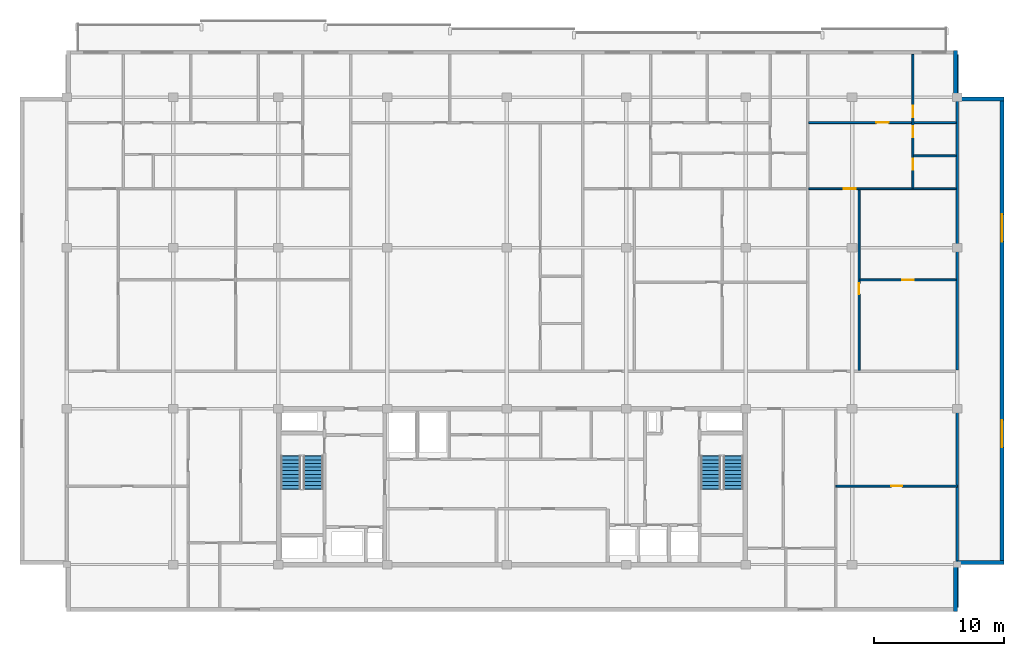
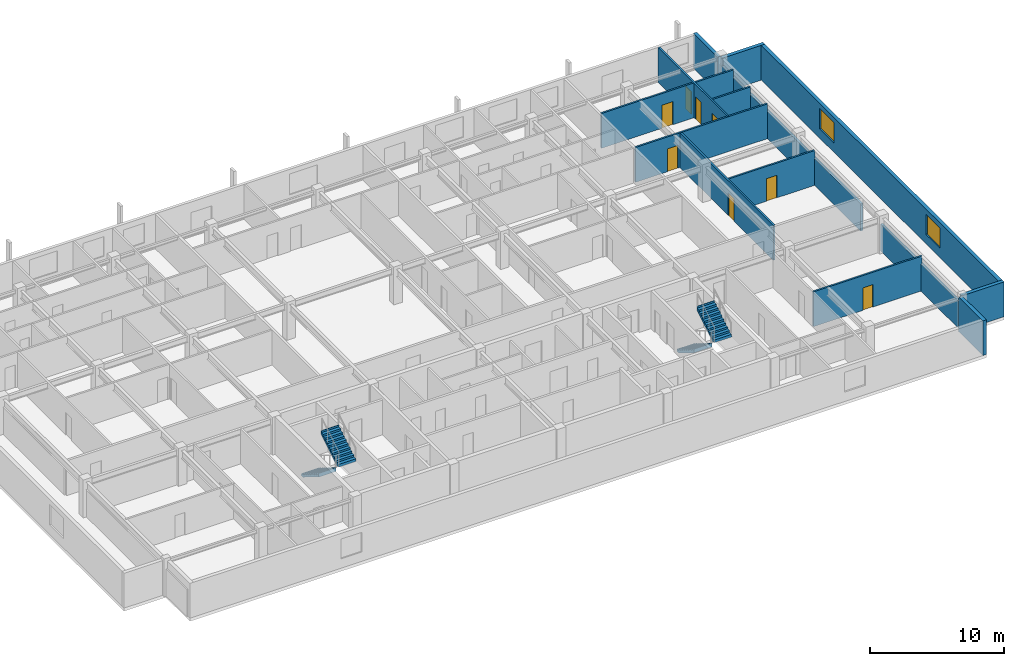
# One storey, part 8 of 10: 14 walls, 8 doors, 4 stair flights, 2 windows, 10 openings, 2 elements without a shape of their own.
"""IFC4 building model written with IfcOpenShell, lengths in metres."""

from ifc_helpers import new_model, si_unit, direction, frame, frame_2d, origin, place, context, subcontext, project, spatial, polyline, rectangle, outline, extrude, material, layer, layer_set, type_object, element, fill, aggregate, save


model = new_model("IFC4")

# Units and contexts
model_context = context("Model", 3, precision=1e-05, world=origin(), true_north=direction((0.0, 1.0)))
body_context = subcontext(model_context, "Body", "Model", "MODEL_VIEW")
ifc_project = project(units=[si_unit("LENGTHUNIT", "METRE"), si_unit("AREAUNIT", "SQUARE_METRE"), si_unit("VOLUMEUNIT", "CUBIC_METRE"), si_unit("PLANEANGLEUNIT", "RADIAN"), si_unit("MASSUNIT", "GRAM", prefix="KILO")], contexts=[model_context])

# Site, building, storey
site_placement = place(None, origin())
site = spatial("IfcSite", under=ifc_project, at=site_placement, CompositionType="ELEMENT")
building_placement = place(site_placement, origin())
building = spatial("IfcBuilding", under=site, at=building_placement, Name="Korimba Cascade Residences", CompositionType="ELEMENT")
storey_placement = place(building_placement, frame((0.0, 0.0, 235.550048828125)))
storey = spatial("IfcBuildingStorey", under=building, at=storey_placement, Name="L68", CompositionType="ELEMENT", Elevation=235.550048828125)

# Walls
ifc_material_1 = material(Name="Precast concrete C40/50", Category="concrete")
ifc_layer_1 = layer(ifc_material_1, 0.300048828125)
ifc_layer_set_1 = layer_set([ifc_layer_1], Name="Precast concrete C40/50")
wall_type_1 = type_object("IfcWallType", Name="EW-STONE-300", PredefinedType="STANDARD", material=ifc_layer_set_1)
wall_1_placement = place(storey_placement, frame((128.25, 51.60009765625, 0.0), z_axis=(0.0, 0.0, 1.0), x_axis=(0.0, 1.0, 0.0)))
element("IfcWall", 1, at=wall_1_placement, inside=storey, type_object=wall_type_1, Name="L68 T1 Perimeter Stone Wall E01", PredefinedType="STANDARD", context=body_context, shape_type="SweptSolid", body=[
    extrude(rectangle(XDim=3.599853515625, YDim=0.300048828125, at=frame_2d((1.7998046875, 0.0))), origin(), (0.0, 0.0, 1.0), 3.169921875),
])
wall_2_placement = place(storey_placement, frame((128.39990234375, 55.35009765625, 0.0), z_axis=(0.0, 0.0, 1.0), x_axis=(1.0, 0.0, 0.0)))
element("IfcWall", 2, at=wall_2_placement, inside=storey, type_object=wall_type_1, Name="L68 T1 Perimeter Stone Wall E02", PredefinedType="STANDARD", context=body_context, shape_type="SweptSolid", body=[
    extrude(rectangle(XDim=3.60009765625, YDim=0.300048828125, at=frame_2d((1.800048828125, 0.0))), origin(), (0.0, 0.0, 1.0), 3.169921875),
])

# Wall, openings, windows
wall_3_placement = place(storey_placement, frame((131.85009765625, 55.199951171875, 0.0), z_axis=(0.0, 0.0, 1.0), x_axis=(0.0, 1.0, 0.0)))
wall_3 = element("IfcWall", 3, at=wall_3_placement, inside=storey, type_object=wall_type_1, Name="L68 T1 Perimeter Stone Wall E03", PredefinedType="STANDARD", context=body_context, shape_type="SweptSolid", body=[
    extrude(rectangle(XDim=36.0, YDim=0.300048828125, at=frame_2d((18.0, 0.0))), origin(), (0.0, 0.0, 1.0), 3.169921875),
])
opening_1_placement = place(wall_3_placement, frame((9.030029296875, 0.0, 0.85009765625)))
opening_1 = element("IfcOpeningElement", 4, at=opening_1_placement, cuts=wall_3, Name="Opening W-03", PredefinedType="OPENING", context=body_context, shape_type="SweptSolid", body=[
    extrude(rectangle(XDim=2.10009765625, YDim=1.85009765625, at=frame_2d((1.050048828125, 0.925048828125))), frame((0.0, 0.16015625, 0.0), z_axis=(0.0, -1.0, 0.0), x_axis=(1.0, 0.0, 0.0)), (0.0, 0.0, 1.0), 0.320068359375),
])
opening_2_placement = place(wall_3_placement, frame((24.8701171875, 0.0, 0.85009765625)))
opening_2 = element("IfcOpeningElement", 5, at=opening_2_placement, cuts=wall_3, Name="Opening W-03", PredefinedType="OPENING", context=body_context, shape_type="SweptSolid", body=[
    extrude(rectangle(XDim=2.10009765625, YDim=1.85009765625, at=frame_2d((1.050048828125, 0.925048828125))), frame((0.0, 0.16015625, 0.0), z_axis=(0.0, -1.0, 0.0), x_axis=(1.0, 0.0, 0.0)), (0.0, 0.0, 1.0), 0.320068359375),
])
ifc_material_2 = material(Name="Double-Glazed Aluminium Window", Category="aluminium")
window_type = type_object("IfcWindowType", Name="WIN-CRN-2100", PartitioningType="DOUBLE_PANEL_HORIZONTAL", PredefinedType="WINDOW", material=ifc_material_2)
window_1_placement = place(opening_1_placement, origin())
window_1 = element("IfcWindow", 6, at=window_1_placement, inside=storey, type_object=window_type, Name="L68 T1 End View Window 3.1", OverallHeight=1.85009765625, OverallWidth=2.10009765625, PartitioningType="DOUBLE_PANEL_HORIZONTAL", PredefinedType="WINDOW", context=body_context, shape_type="SweptSolid", body=[
    extrude(rectangle(XDim=2.10009765625, YDim=1.85009765625, at=frame_2d((1.050048828125, 0.925048828125))), frame((0.0, 0.030029296875, 0.0), z_axis=(0.0, -1.0, 0.0), x_axis=(1.0, 0.0, 0.0)), (0.0, 0.0, 1.0), 0.06005859375),
])
fill(opening_1, window_1)
window_2_placement = place(opening_2_placement, origin())
window_2 = element("IfcWindow", 7, at=window_2_placement, inside=storey, type_object=window_type, Name="L68 T1 End View Window 3.2", OverallHeight=1.85009765625, OverallWidth=2.10009765625, PartitioningType="DOUBLE_PANEL_HORIZONTAL", PredefinedType="WINDOW", context=body_context, shape_type="SweptSolid", body=[
    extrude(rectangle(XDim=2.10009765625, YDim=1.85009765625, at=frame_2d((1.050048828125, 0.925048828125))), frame((0.0, 0.030029296875, 0.0), z_axis=(0.0, -1.0, 0.0), x_axis=(1.0, 0.0, 0.0)), (0.0, 0.0, 1.0), 0.06005859375),
])
fill(opening_2, window_2)

# Walls
for number, where, z_axis, x_axis, name in (
    (8, (132.0, 91.050048828125, 0.0), (0.0, 0.0, 1.0), (-1.0, 0.0, 0.0), "L68 T1 Perimeter Stone Wall E04"),
    (9, (128.25, 91.199951171875, 0.0), (0.0, 0.0, 1.0), (0.0, 1.0, 0.0), "L68 T1 Perimeter Stone Wall E05"),
):
    element("IfcWall", number, at=place(storey_placement, frame(where, z_axis=z_axis, x_axis=x_axis)), inside=storey, type_object=wall_type_1, Name=name, PredefinedType="STANDARD", context=body_context, shape_type="SweptSolid", body=[
        extrude(rectangle(XDim=3.60009765625, YDim=0.300048828125, at=frame_2d((1.800048828125, 0.0))), origin(), (0.0, 0.0, 1.0), 3.169921875),
    ])
ifc_layer_2 = layer(ifc_material_1, 0.199951171875)
ifc_layer_set_2 = layer_set([ifc_layer_2], Name="Precast concrete C40/50")
wall_type_2 = type_object("IfcWallType", Name="WAL-IT-200", PredefinedType="PARTITIONING", material=ifc_layer_set_2)
wall_4_placement = place(storey_placement, frame((128.39990234375, 51.89990234375, 0.0), z_axis=(0.0, 0.0, 1.0), x_axis=(0.0, 1.0, 0.0)))
element("IfcWall", 10, at=wall_4_placement, inside=storey, type_object=wall_type_2, Name="L68 Partition Wall WAL-L68-T1-FE-WR", PredefinedType="PARTITIONING", context=body_context, shape_type="SweptSolid", body=[
    extrude(rectangle(XDim=15.300048828125, YDim=0.199951171875, at=frame_2d((7.64990234375, 0.0))), origin(), (0.0, 0.0, 1.0), 2.47705078125),
])
wall_5_placement = place(storey_placement, frame((128.39990234375, 70.179931640625, 0.0), z_axis=(0.0, 0.0, 1.0), x_axis=(0.0, 1.0, 0.0)))
element("IfcWall", 11, at=wall_5_placement, inside=storey, type_object=wall_type_2, Name="L68 Partition Wall WAL-L68-T1-BNDWR", PredefinedType="PARTITIONING", context=body_context, shape_type="SweptSolid", body=[
    extrude(rectangle(XDim=24.320068359375, YDim=0.199951171875, at=frame_2d((12.16015625, 0.0))), origin(), (0.0, 0.0, 1.0), 2.47705078125),
])

# Wall, opening, door
ifc_material_3 = material(Name="Insulated Acoustic Stud Partition", Category="gypsum")
ifc_layer_3 = layer(ifc_material_3, 0.14990234375)
ifc_layer_set_3 = layer_set([ifc_layer_3], Name="Insulated Acoustic Stud Partition")
wall_type_3 = type_object("IfcWallType", Name="WAL-PART-150", PredefinedType="PARTITIONING", material=ifc_layer_set_3)
wall_6_placement = place(storey_placement, frame((119.050048828125, 61.25, 0.0), z_axis=(0.0, 0.0, 1.0), x_axis=(1.0, 0.0, 0.0)))
wall_6 = element("IfcWall", 12, at=wall_6_placement, inside=storey, type_object=wall_type_3, Name="L68 Partition Wall WAL-L68-T1-FE-STH", PredefinedType="PARTITIONING", context=body_context, shape_type="SweptSolid", body=[
    extrude(rectangle(XDim=9.349853515625, YDim=0.14990234375, at=frame_2d((4.6748046875, 0.0))), origin(), (0.0, 0.0, 1.0), 3.169921875),
])
opening_3_placement = place(wall_6_placement, frame((4.2548828125, 0.0, 0.0)))
opening_3 = element("IfcOpeningElement", 13, at=opening_3_placement, cuts=wall_6, Name="Opening D-BT1", PredefinedType="OPENING", context=body_context, shape_type="SweptSolid", body=[
    extrude(rectangle(XDim=0.840087890625, YDim=2.0400390625, at=frame_2d((0.419921875, 1.02001953125))), frame((0.0, 0.0849609375, 0.0), z_axis=(0.0, -1.0, 0.0), x_axis=(1.0, 0.0, 0.0)), (0.0, 0.0, 1.0), 0.169921875),
])
ifc_material_4 = material(Name="Moisture-Resistant Bathroom Timber Door", Category="wood")
door_type_1 = type_object("IfcDoorType", Name="DR-INT-850", OperationType="NOTDEFINED", PredefinedType="DOOR", material=ifc_material_4)
door_1_placement = place(opening_3_placement, origin())
door_1 = element("IfcDoor", 14, at=door_1_placement, inside=storey, type_object=door_type_1, Name="L68-T1-FE Dressing Store Door", OperationType="SINGLE_SWING_LEFT", OverallHeight=2.0400390625, OverallWidth=0.840087890625, PredefinedType="DOOR", context=body_context, shape_type="SweptSolid", body=[
    extrude(rectangle(XDim=0.840087890625, YDim=2.0400390625, at=frame_2d((0.419921875, 1.02001953125))), frame((0.0, 0.02490234375, 0.0), z_axis=(0.0, -1.0, 0.0), x_axis=(1.0, 0.0, 0.0)), (0.0, 0.0, 1.0), 0.050048828125),
])
fill(opening_3, door_1)

wall_7_placement = place(storey_placement, frame((120.899658203125, 77.135009765625, 0.0), z_axis=(0.0, 0.0, 1.0), x_axis=(1.0, 0.0, 0.0)))
wall_7 = element("IfcWall", 15, at=wall_7_placement, inside=storey, type_object=wall_type_3, Name="L68 Partition Wall WAL-L68-T1-U04-FMH", PredefinedType="PARTITIONING", context=body_context, shape_type="SweptSolid", body=[
    extrude(rectangle(XDim=7.42041015625, YDim=0.14990234375, at=frame_2d((3.710205078125, 0.0))), origin(), (0.0, 0.0, 1.0), 3.169921875),
])
opening_4_placement = place(wall_7_placement, frame((3.270263671875, 0.0, 0.0)))
opening_4 = element("IfcOpeningElement", 16, at=opening_4_placement, cuts=wall_7, Name="Opening D-IN2", PredefinedType="OPENING", context=body_context, shape_type="SweptSolid", body=[
    extrude(rectangle(XDim=0.8798828125, YDim=2.06005859375, at=frame_2d((0.43994140625, 1.030029296875))), frame((0.0, 0.0849609375, 0.0), z_axis=(0.0, -1.0, 0.0), x_axis=(1.0, 0.0, 0.0)), (0.0, 0.0, 1.0), 0.169921875),
])
ifc_material_5 = material(Name="Acoustic Timber Bedroom Door", Category="wood")
door_type_2 = type_object("IfcDoorType", Name="DR-INT-880", OperationType="NOTDEFINED", PredefinedType="DOOR", material=ifc_material_5)
door_2_placement = place(opening_4_placement, origin())
door_2 = element("IfcDoor", 17, at=door_2_placement, inside=storey, type_object=door_type_2, Name="L68-T1-U04 Library Salon Door", OperationType="SINGLE_SWING_LEFT", OverallHeight=2.06005859375, OverallWidth=0.8798828125, PredefinedType="DOOR", context=body_context, shape_type="SweptSolid", body=[
    extrude(rectangle(XDim=0.8798828125, YDim=2.06005859375, at=frame_2d((0.43994140625, 1.030029296875))), frame((0.0, 0.02490234375, 0.0), z_axis=(0.0, -1.0, 0.0), x_axis=(1.0, 0.0, 0.0)), (0.0, 0.0, 1.0), 0.050048828125),
])
fill(opening_4, door_2)

wall_8_placement = place(storey_placement, frame((120.839599609375, 70.159912109375, 0.0), z_axis=(0.0, 0.0, 1.0), x_axis=(0.0, 1.0, 0.0)))
wall_8 = element("IfcWall", 18, at=wall_8_placement, inside=storey, type_object=wall_type_3, Name="L68 Partition Wall WAL-L68-T1-U04-FV", PredefinedType="PARTITIONING", context=body_context, shape_type="SweptSolid", body=[
    extrude(rectangle(XDim=13.9501953125, YDim=0.14990234375, at=frame_2d((6.97509765625, 0.0))), origin(), (0.0, 0.0, 1.0), 3.169921875),
])
opening_5_placement = place(wall_8_placement, frame((5.844970703125, 0.0, 0.0)))
opening_5 = element("IfcOpeningElement", 19, at=opening_5_placement, cuts=wall_8, Name="Opening D-IN2", PredefinedType="OPENING", context=body_context, shape_type="SweptSolid", body=[
    extrude(rectangle(XDim=0.8798828125, YDim=2.06005859375, at=frame_2d((0.43994140625, 1.030029296875))), frame((0.0, 0.0849609375, 0.0), z_axis=(0.0, -1.0, 0.0), x_axis=(1.0, 0.0, 0.0)), (0.0, 0.0, 1.0), 0.169921875),
])
door_3_placement = place(opening_5_placement, origin())
door_3 = element("IfcDoor", 20, at=door_3_placement, inside=storey, type_object=door_type_2, Name="L68-T1-U04 Media Lounge Door", OperationType="SINGLE_SWING_RIGHT", OverallHeight=2.06005859375, OverallWidth=0.8798828125, PredefinedType="DOOR", context=body_context, shape_type="SweptSolid", body=[
    extrude(rectangle(XDim=0.8798828125, YDim=2.06005859375, at=frame_2d((0.43994140625, 1.030029296875))), frame((0.0, 0.02490234375, 0.0), z_axis=(0.0, -1.0, 0.0), x_axis=(1.0, 0.0, 0.0)), (0.0, 0.0, 1.0), 0.050048828125),
])
fill(opening_5, door_3)

# Wall
wall_9_placement = place(storey_placement, frame((125.0400390625, 86.68994140625, 0.0), z_axis=(0.0, 0.0, 1.0), x_axis=(1.0, 0.0, 0.0)))
element("IfcWall", 21, at=wall_9_placement, inside=storey, type_object=wall_type_3, Name="L68 Partition Wall WAL-L68-T1-U04-BLDIV", PredefinedType="PARTITIONING", context=body_context, shape_type="SweptSolid", body=[
    extrude(rectangle(XDim=3.280029296875, YDim=0.14990234375, at=frame_2d((1.64013671875, 0.0))), origin(), (0.0, 0.0, 1.0), 3.169921875),
])

# Wall, openings, doors
wall_10_placement = place(storey_placement, frame((124.97998046875, 84.18994140625, 0.0), z_axis=(0.0, 0.0, 1.0), x_axis=(0.0, 1.0, 0.0)))
wall_10 = element("IfcWall", 22, at=wall_10_placement, inside=storey, type_object=wall_type_3, Name="L68 Partition Wall WAL-L68-T1-U04-V1", PredefinedType="PARTITIONING", context=body_context, shape_type="SweptSolid", body=[
    extrude(rectangle(XDim=10.31005859375, YDim=0.14990234375, at=frame_2d((5.155029296875, 0.0))), origin(), (0.0, 0.0, 1.0), 3.169921875),
])
opening_6_placement = place(wall_10_placement, frame((1.430419921875, 0.0, 0.0)))
opening_6 = element("IfcOpeningElement", 23, at=opening_6_placement, cuts=wall_10, Name="Opening D-BT1", PredefinedType="OPENING", context=body_context, shape_type="SweptSolid", body=[
    extrude(rectangle(XDim=0.840087890625, YDim=2.0400390625, at=frame_2d((0.419921875, 1.02001953125))), frame((0.0, 0.0849609375, 0.0), z_axis=(0.0, -1.0, 0.0), x_axis=(1.0, 0.0, 0.0)), (0.0, 0.0, 1.0), 0.169921875),
])
opening_7_placement = place(wall_10_placement, frame((3.919921875, 0.0, 0.0)))
opening_7 = element("IfcOpeningElement", 24, at=opening_7_placement, cuts=wall_10, Name="Opening D-BT1", PredefinedType="OPENING", context=body_context, shape_type="SweptSolid", body=[
    extrude(rectangle(XDim=0.840087890625, YDim=2.0400390625, at=frame_2d((0.419921875, 1.02001953125))), frame((0.0, 0.0849609375, 0.0), z_axis=(0.0, -1.0, 0.0), x_axis=(1.0, 0.0, 0.0)), (0.0, 0.0, 1.0), 0.169921875),
])
opening_8_placement = place(wall_10_placement, frame((5.47998046875, 0.0, 0.0)))
opening_8 = element("IfcOpeningElement", 25, at=opening_8_placement, cuts=wall_10, Name="Opening D-IN2", PredefinedType="OPENING", context=body_context, shape_type="SweptSolid", body=[
    extrude(rectangle(XDim=0.8798828125, YDim=2.06005859375, at=frame_2d((0.43994140625, 1.030029296875))), frame((0.0, 0.0849609375, 0.0), z_axis=(0.0, -1.0, 0.0), x_axis=(1.0, 0.0, 0.0)), (0.0, 0.0, 1.0), 0.169921875),
])
door_4_placement = place(opening_6_placement, origin())
door_4 = element("IfcDoor", 26, at=door_4_placement, inside=storey, type_object=door_type_1, Name="L68-T1-U04 Bathroom Door", OperationType="SINGLE_SWING_LEFT", OverallHeight=2.0400390625, OverallWidth=0.840087890625, PredefinedType="DOOR", context=body_context, shape_type="SweptSolid", body=[
    extrude(rectangle(XDim=0.840087890625, YDim=2.0400390625, at=frame_2d((0.419921875, 1.02001953125))), frame((0.0, 0.02490234375, 0.0), z_axis=(0.0, -1.0, 0.0), x_axis=(1.0, 0.0, 0.0)), (0.0, 0.0, 1.0), 0.050048828125),
])
fill(opening_6, door_4)
door_5_placement = place(opening_7_placement, origin())
door_5 = element("IfcDoor", 27, at=door_5_placement, inside=storey, type_object=door_type_1, Name="L68-T1-U04 Laundry Door", OperationType="SINGLE_SWING_RIGHT", OverallHeight=2.0400390625, OverallWidth=0.840087890625, PredefinedType="DOOR", context=body_context, shape_type="SweptSolid", body=[
    extrude(rectangle(XDim=0.840087890625, YDim=2.0400390625, at=frame_2d((0.419921875, 1.02001953125))), frame((0.0, 0.02490234375, 0.0), z_axis=(0.0, -1.0, 0.0), x_axis=(1.0, 0.0, 0.0)), (0.0, 0.0, 1.0), 0.050048828125),
])
fill(opening_7, door_5)
door_6_placement = place(opening_8_placement, origin())
door_6 = element("IfcDoor", 28, at=door_6_placement, inside=storey, type_object=door_type_2, Name="L68-T1-U04 Bedroom 1 Door", OperationType="SINGLE_SWING_LEFT", OverallHeight=2.06005859375, OverallWidth=0.8798828125, PredefinedType="DOOR", context=body_context, shape_type="SweptSolid", body=[
    extrude(rectangle(XDim=0.8798828125, YDim=2.06005859375, at=frame_2d((0.43994140625, 1.030029296875))), frame((0.0, 0.02490234375, 0.0), z_axis=(0.0, -1.0, 0.0), x_axis=(1.0, 0.0, 0.0)), (0.0, 0.0, 1.0), 0.050048828125),
])
fill(opening_8, door_6)

# Wall, opening, door
wall_11_placement = place(storey_placement, frame((116.94970703125, 84.14990234375, 0.0), z_axis=(0.0, 0.0, 1.0), x_axis=(1.0, 0.0, 0.0)))
wall_11 = element("IfcWall", 29, at=wall_11_placement, inside=storey, type_object=wall_type_3, Name="L68 Partition Wall WAL-L68-T1-U04-MW", PredefinedType="PARTITIONING", context=body_context, shape_type="SweptSolid", body=[
    extrude(rectangle(XDim=11.370361328125, YDim=0.14990234375, at=frame_2d((5.68505859375, 0.0))), origin(), (0.0, 0.0, 1.0), 3.169921875),
])
opening_9_placement = place(wall_11_placement, frame((2.719970703125, 0.0, 0.0)))
opening_9 = element("IfcOpeningElement", 30, at=opening_9_placement, cuts=wall_11, Name="Opening D-IN1", PredefinedType="OPENING", context=body_context, shape_type="SweptSolid", body=[
    extrude(rectangle(XDim=0.919921875, YDim=2.080078125, at=frame_2d((0.4599609375, 1.0400390625))), frame((0.0, 0.0849609375, 0.0), z_axis=(0.0, -1.0, 0.0), x_axis=(1.0, 0.0, 0.0)), (0.0, 0.0, 1.0), 0.169921875),
])
ifc_material_6 = material(Name="Acoustic Timber Living Door", Category="wood")
door_type_3 = type_object("IfcDoorType", Name="DR-INT-920", OperationType="NOTDEFINED", PredefinedType="DOOR", material=ifc_material_6)
door_7_placement = place(opening_9_placement, origin())
door_7 = element("IfcDoor", 31, at=door_7_placement, inside=storey, type_object=door_type_3, Name="L68-T1-U04 Kitchen Archway Door", OperationType="SINGLE_SWING_RIGHT", OverallHeight=2.080078125, OverallWidth=0.919921875, PredefinedType="DOOR", context=body_context, shape_type="SweptSolid", body=[
    extrude(rectangle(XDim=0.919921875, YDim=2.080078125, at=frame_2d((0.4599609375, 1.0400390625))), frame((0.0, 0.02490234375, 0.0), z_axis=(0.0, -1.0, 0.0), x_axis=(1.0, 0.0, 0.0)), (0.0, 0.0, 1.0), 0.050048828125),
])
fill(opening_9, door_7)

wall_12_placement = place(storey_placement, frame((116.94970703125, 89.25, 0.0), z_axis=(0.0, 0.0, 1.0), x_axis=(1.0, 0.0, 0.0)))
wall_12 = element("IfcWall", 32, at=wall_12_placement, inside=storey, type_object=wall_type_3, Name="L68 Partition Wall WAL-L68-T1-U04-HZ", PredefinedType="PARTITIONING", context=body_context, shape_type="SweptSolid", body=[
    extrude(rectangle(XDim=11.370361328125, YDim=0.14990234375, at=frame_2d((5.68505859375, 0.0))), origin(), (0.0, 0.0, 1.0), 3.169921875),
])
opening_10_placement = place(wall_12_placement, frame((5.215087890625, 0.0, 0.0)))
opening_10 = element("IfcOpeningElement", 33, at=opening_10_placement, cuts=wall_12, Name="Opening D-IN0", PredefinedType="OPENING", context=body_context, shape_type="SweptSolid", body=[
    extrude(rectangle(XDim=0.93994140625, YDim=2.10009765625, at=frame_2d((0.469970703125, 1.050048828125))), frame((0.0, 0.0849609375, 0.0), z_axis=(0.0, -1.0, 0.0), x_axis=(1.0, 0.0, 0.0)), (0.0, 0.0, 1.0), 0.169921875),
])
ifc_material_7 = material(Name="Acoustic Timber Living Archway Door", Category="wood")
door_type_4 = type_object("IfcDoorType", Name="DR-INT-950", OperationType="NOTDEFINED", PredefinedType="DOOR", material=ifc_material_7)
door_8_placement = place(opening_10_placement, origin())
door_8 = element("IfcDoor", 34, at=door_8_placement, inside=storey, type_object=door_type_4, Name="L68-T1-U04 Living Archway Door", OperationType="SINGLE_SWING_LEFT", OverallHeight=2.10009765625, OverallWidth=0.93994140625, PredefinedType="DOOR", context=body_context, shape_type="SweptSolid", body=[
    extrude(rectangle(XDim=0.93994140625, YDim=2.10009765625, at=frame_2d((0.469970703125, 1.050048828125))), frame((0.0, 0.02490234375, 0.0), z_axis=(0.0, -1.0, 0.0), x_axis=(1.0, 0.0, 0.0)), (0.0, 0.0, 1.0), 0.050048828125),
])
fill(opening_10, door_8)

# Stair, stair flights
ifc_material_8 = material(Name="Concrete C50/60", Category="concrete")
stair_type_1 = type_object("IfcStairType", Name="STR-W1-20R-1725", PredefinedType="HALF_TURN_STAIR", material=ifc_material_8)
stair_1_placement = place(storey_placement, origin())
stair_1 = element("IfcStair", 35, at=stair_1_placement, inside=storey, type_object=stair_type_1, Name="L68 Tower 1 West Fire Stair ST-W1", PredefinedType="HALF_TURN_STAIR")
stair_flight_type = type_object("IfcStairFlightType", Name="STF-DL-20R-1725-1520", PredefinedType="STRAIGHT", material=ifc_material_8)
stair_flight_1_placement = place(storey_placement, frame((77.06005859375, 63.550048828125, 0.0), z_axis=(0.0, 0.0, 1.0), x_axis=(0.0, -1.0, 0.0)))
stair_flight_1 = element("IfcStairFlight", 36, at=stair_flight_1_placement, type_object=stair_flight_type, Name="ST-W1 flight 1", NumberOfRisers=10, NumberOfTreads=9, PredefinedType="STRAIGHT", RiserHeight=0.1725, TreadLength=0.28, context=body_context, shape_type="SweptSolid", body=[
    extrude(outline(polyline([(-0.0380859375, 0.0), (0.0, 0.172607421875), (0.280029296875, 0.172607421875), (0.280029296875, 0.344970703125), (0.56005859375, 0.344970703125), (0.56005859375, 0.517578125), (0.840087890625, 0.517578125), (0.840087890625, 0.68994140625), (1.1201171875, 0.68994140625), (1.1201171875, 0.862548828125), (1.39990234375, 0.862548828125), (1.39990234375, 1.034912109375), (1.679931640625, 1.034912109375), (1.679931640625, 1.20751953125), (1.9599609375, 1.20751953125), (1.9599609375, 1.3798828125), (2.239990234375, 1.3798828125), (2.239990234375, 1.552490234375), (2.52001953125, 1.552490234375), (2.52001953125, 1.72509765625), (2.55810546875, 1.72509765625), (2.55810546875, 1.37646484375), (0.285888671875, 0.0), (0.285888671875, -0.0380859375), (-0.0380859375, -0.0380859375), (-0.0380859375, 0.0)])), frame((0.0, 0.760009765625, 0.0), z_axis=(0.0, -1.0, 0.0), x_axis=(1.0, 0.0, 0.0)), (0.0, 0.0, 1.0), 1.52001953125),
])
stair_flight_2_placement = place(storey_placement, frame((78.780029296875, 61.030029296875, 1.724853515625), z_axis=(0.0, 0.0, 1.0), x_axis=(0.0, 1.0, 0.0)))
stair_flight_2 = element("IfcStairFlight", 37, at=stair_flight_2_placement, type_object=stair_flight_type, Name="ST-W1 flight 2", NumberOfRisers=10, NumberOfTreads=9, PredefinedType="STRAIGHT", RiserHeight=0.1725, TreadLength=0.28, context=body_context, shape_type="SweptSolid", body=[
    extrude(outline(polyline([(-0.0380859375, 0.0), (0.0, 0.172607421875), (0.280029296875, 0.172607421875), (0.280029296875, 0.344970703125), (0.56005859375, 0.344970703125), (0.56005859375, 0.517578125), (0.840087890625, 0.517578125), (0.840087890625, 0.68994140625), (1.1201171875, 0.68994140625), (1.1201171875, 0.862548828125), (1.39990234375, 0.862548828125), (1.39990234375, 1.034912109375), (1.679931640625, 1.034912109375), (1.679931640625, 1.20751953125), (1.9599609375, 1.20751953125), (1.9599609375, 1.3798828125), (2.239990234375, 1.3798828125), (2.239990234375, 1.552490234375), (2.52001953125, 1.552490234375), (2.52001953125, 1.72509765625), (2.55810546875, 1.72509765625), (2.55810546875, 1.37646484375), (0.285888671875, 0.0), (0.285888671875, -0.0380859375), (-0.0380859375, -0.0380859375), (-0.0380859375, 0.0)])), frame((0.0, 0.760009765625, 0.0), z_axis=(0.0, -1.0, 0.0), x_axis=(1.0, 0.0, 0.0)), (0.0, 0.0, 1.0), 1.52001953125),
])
aggregate(stair_1, [stair_flight_1, stair_flight_2])

stair_type_2 = type_object("IfcStairType", Name="STR-W2-20R-1725", PredefinedType="HALF_TURN_STAIR", material=ifc_material_8)
stair_2_placement = place(storey_placement, origin())
stair_2 = element("IfcStair", 38, at=stair_2_placement, inside=storey, type_object=stair_type_2, Name="L68 Tower 1 East Fire Stair ST-W2", PredefinedType="HALF_TURN_STAIR")
stair_flight_3_placement = place(storey_placement, frame((109.419921875, 63.550048828125, 0.0), z_axis=(0.0, 0.0, 1.0), x_axis=(0.0, -1.0, 0.0)))
stair_flight_3 = element("IfcStairFlight", 39, at=stair_flight_3_placement, type_object=stair_flight_type, Name="ST-W2 flight 1", NumberOfRisers=10, NumberOfTreads=9, PredefinedType="STRAIGHT", RiserHeight=0.1725, TreadLength=0.28, context=body_context, shape_type="SweptSolid", body=[
    extrude(outline(polyline([(-0.0380859375, 0.0), (0.0, 0.172607421875), (0.280029296875, 0.172607421875), (0.280029296875, 0.344970703125), (0.56005859375, 0.344970703125), (0.56005859375, 0.517578125), (0.840087890625, 0.517578125), (0.840087890625, 0.68994140625), (1.1201171875, 0.68994140625), (1.1201171875, 0.862548828125), (1.39990234375, 0.862548828125), (1.39990234375, 1.034912109375), (1.679931640625, 1.034912109375), (1.679931640625, 1.20751953125), (1.9599609375, 1.20751953125), (1.9599609375, 1.3798828125), (2.239990234375, 1.3798828125), (2.239990234375, 1.552490234375), (2.52001953125, 1.552490234375), (2.52001953125, 1.72509765625), (2.55810546875, 1.72509765625), (2.55810546875, 1.37646484375), (0.285888671875, 0.0), (0.285888671875, -0.0380859375), (-0.0380859375, -0.0380859375), (-0.0380859375, 0.0)])), frame((0.0, 0.760009765625, 0.0), z_axis=(0.0, -1.0, 0.0), x_axis=(1.0, 0.0, 0.0)), (0.0, 0.0, 1.0), 1.52001953125),
])
stair_flight_4_placement = place(storey_placement, frame((111.139892578125, 61.030029296875, 1.724853515625), z_axis=(0.0, 0.0, 1.0), x_axis=(0.0, 1.0, 0.0)))
stair_flight_4 = element("IfcStairFlight", 40, at=stair_flight_4_placement, type_object=stair_flight_type, Name="ST-W2 flight 2", NumberOfRisers=10, NumberOfTreads=9, PredefinedType="STRAIGHT", RiserHeight=0.1725, TreadLength=0.28, context=body_context, shape_type="SweptSolid", body=[
    extrude(outline(polyline([(-0.0380859375, 0.0), (0.0, 0.172607421875), (0.280029296875, 0.172607421875), (0.280029296875, 0.344970703125), (0.56005859375, 0.344970703125), (0.56005859375, 0.517578125), (0.840087890625, 0.517578125), (0.840087890625, 0.68994140625), (1.1201171875, 0.68994140625), (1.1201171875, 0.862548828125), (1.39990234375, 0.862548828125), (1.39990234375, 1.034912109375), (1.679931640625, 1.034912109375), (1.679931640625, 1.20751953125), (1.9599609375, 1.20751953125), (1.9599609375, 1.3798828125), (2.239990234375, 1.3798828125), (2.239990234375, 1.552490234375), (2.52001953125, 1.552490234375), (2.52001953125, 1.72509765625), (2.55810546875, 1.72509765625), (2.55810546875, 1.37646484375), (0.285888671875, 0.0), (0.285888671875, -0.0380859375), (-0.0380859375, -0.0380859375), (-0.0380859375, 0.0)])), frame((0.0, 0.760009765625, 0.0), z_axis=(0.0, -1.0, 0.0), x_axis=(1.0, 0.0, 0.0)), (0.0, 0.0, 1.0), 1.52001953125),
])
aggregate(stair_2, [stair_flight_3, stair_flight_4])

save(model, "model.ifc")
